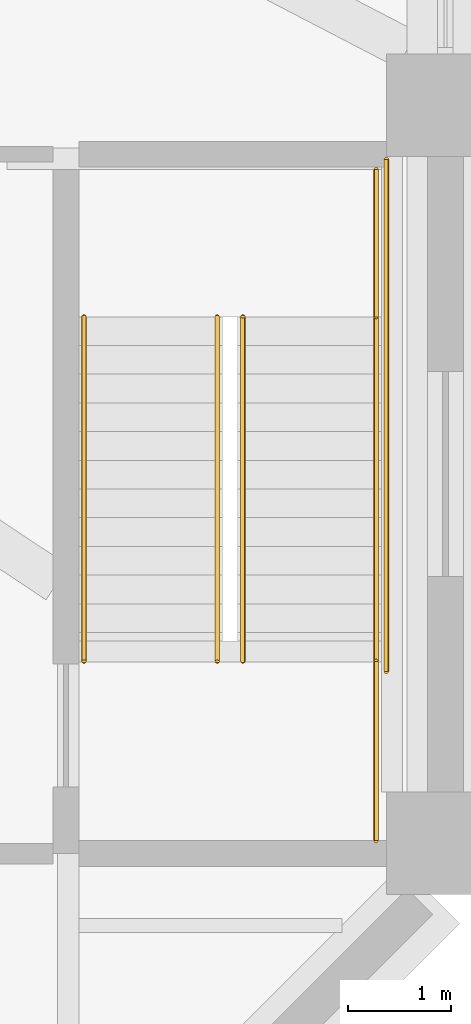
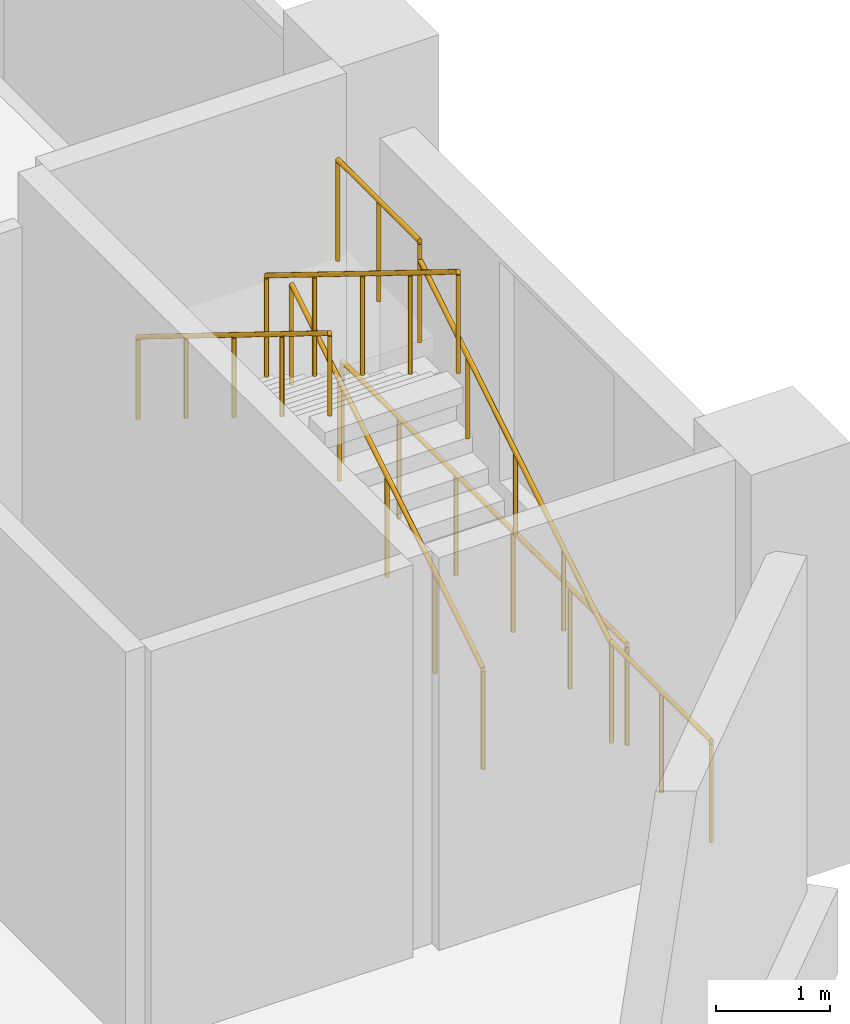
# One storey, part 27 of 29: 7 railings.
"""IFC4 building model written with IfcOpenShell, lengths in metres."""

from ifc_helpers import new_model, si_unit, direction, frame, origin, origin_2d, place, context, subcontext, project, spatial, circle, extrude, material, type_object, element, save


model = new_model("IFC4")

# Units and contexts
model_context = context("Model", 3, precision=1e-05, world=origin(), true_north=direction((0.0, 1.0)))
body_context = subcontext(model_context, "Body", "Model", "MODEL_VIEW")
ifc_project = project(units=[si_unit("LENGTHUNIT", "METRE"), si_unit("AREAUNIT", "SQUARE_METRE"), si_unit("VOLUMEUNIT", "CUBIC_METRE"), si_unit("PLANEANGLEUNIT", "RADIAN"), si_unit("MASSUNIT", "GRAM", prefix="KILO")], contexts=[model_context])

# Site, building, storey
site_placement = place(None, origin())
site = spatial("IfcSite", under=ifc_project, at=site_placement, CompositionType="ELEMENT")
building_placement = place(site_placement, origin())
building = spatial("IfcBuilding", under=site, at=building_placement, Name="Isthmus Gate Tower", CompositionType="ELEMENT")
storey_placement = place(building_placement, frame((0.0, 0.0, 27.0)))
storey = spatial("IfcBuildingStorey", under=building, at=storey_placement, Name="L04", CompositionType="ELEMENT", Elevation=27.0)

# Railings
ifc_material_1 = material(Name="Painted steel balusters with timber handrail", Category="steel")
railing_type_1 = type_object("IfcRailingType", Name="Podium stair guard 1100", PredefinedType="GUARDRAIL", material=ifc_material_1)
railing_1_placement = place(storey_placement, frame((49.60009765625, -32.72509765625, 0.173095703125)))
element("IfcRailing", 1, at=railing_1_placement, inside=storey, type_object=railing_type_1, Name="L04 ST4 stair guard 1", PredefinedType="GUARDRAIL", context=body_context, shape_type="SweptSolid", body=[
    extrude(circle(Radius=0.02392578125, at=origin_2d()), frame((0.0, 0.0, 1.076171875), z_axis=(0.0, 0.850623216509, 0.525775754039), x_axis=(-1.0, 0.0, 0.0)), (0.0, 0.0, 1.0), 3.9501953125),
    extrude(circle(Radius=0.02099609375, at=origin_2d()), origin(), (0.0, 0.0, 1.0), 1.052001953125),
    extrude(circle(Radius=0.02099609375, at=origin_2d()), frame((0.0, 0.840087890625, 0.519287109375)), (0.0, 0.0, 1.0), 1.052001953125),
    extrude(circle(Radius=0.02099609375, at=origin_2d()), frame((0.0, 1.68017578125, 1.03857421875)), (0.0, 0.0, 1.0), 1.052001953125),
    extrude(circle(Radius=0.02099609375, at=origin_2d()), frame((0.0, 2.52001953125, 1.5576171875)), (0.0, 0.0, 1.0), 1.052001953125),
    extrude(circle(Radius=0.02099609375, at=origin_2d()), frame((0.0, 3.360107421875, 2.076904296875)), (0.0, 0.0, 1.0), 1.052001953125),
])
railing_2_placement = place(storey_placement, frame((50.89990234375, -29.364990234375, 2.25)))
element("IfcRailing", 2, at=railing_2_placement, inside=storey, type_object=railing_type_1, Name="L04 ST4 stair guard 2", PredefinedType="GUARDRAIL", context=body_context, shape_type="SweptSolid", body=[
    extrude(circle(Radius=0.02392578125, at=origin_2d()), frame((0.0, 0.0, 1.076171875), z_axis=(0.0, 1.0, 0.0), x_axis=(-1.0, 0.0, 0.0)), (0.0, 0.0, 1.0), 1.43603515625),
    extrude(circle(Radius=0.02099609375, at=origin_2d()), origin(), (0.0, 0.0, 1.0), 1.052001953125),
    extrude(circle(Radius=0.02099609375, at=origin_2d()), frame((0.0, 0.718017578125, 0.0)), (0.0, 0.0, 1.0), 1.052001953125),
    extrude(circle(Radius=0.02099609375, at=origin_2d()), frame((0.0, 1.43603515625, 0.0)), (0.0, 0.0, 1.0), 1.052001953125),
])
railing_3_placement = place(storey_placement, frame((49.35009765625, -29.364990234375, 2.423095703125)))
element("IfcRailing", 3, at=railing_3_placement, inside=storey, type_object=railing_type_1, Name="L04 ST4 stair guard 3", PredefinedType="GUARDRAIL", context=body_context, shape_type="SweptSolid", body=[
    extrude(circle(Radius=0.02392578125, at=origin_2d()), frame((0.0, 0.0, 1.076171875), z_axis=(0.0, -0.850623216509, 0.525775754039), x_axis=(1.0, 0.0, 0.0)), (0.0, 0.0, 1.0), 3.9501953125),
    extrude(circle(Radius=0.02099609375, at=origin_2d()), origin(), (0.0, 0.0, 1.0), 1.052001953125),
    extrude(circle(Radius=0.02099609375, at=origin_2d()), frame((0.0, -0.840087890625, 0.519287109375)), (0.0, 0.0, 1.0), 1.052001953125),
    extrude(circle(Radius=0.02099609375, at=origin_2d()), frame((0.0, -1.68017578125, 1.03857421875)), (0.0, 0.0, 1.0), 1.052001953125),
    extrude(circle(Radius=0.02099609375, at=origin_2d()), frame((0.0, -2.52001953125, 1.5576171875)), (0.0, 0.0, 1.0), 1.052001953125),
    extrude(circle(Radius=0.02099609375, at=origin_2d()), frame((0.0, -3.360107421875, 2.076904296875)), (0.0, 0.0, 1.0), 1.052001953125),
])
railing_4_placement = place(storey_placement, frame((50.89990234375, -34.47509765625, 0.0)))
element("IfcRailing", 4, at=railing_4_placement, inside=storey, type_object=railing_type_1, Name="L04 ST4 stair guard 4", PredefinedType="GUARDRAIL", context=body_context, shape_type="SweptSolid", body=[
    extrude(circle(Radius=0.02392578125, at=origin_2d()), frame((0.0, 0.0, 1.076171875), z_axis=(0.0, 1.0, 0.0), x_axis=(-1.0, 0.0, 0.0)), (0.0, 0.0, 1.0), 1.75),
    extrude(circle(Radius=0.02099609375, at=origin_2d()), origin(), (0.0, 0.0, 1.0), 1.052001953125),
    extrude(circle(Radius=0.02099609375, at=origin_2d()), frame((0.0, 0.875, 0.0)), (0.0, 0.0, 1.0), 1.052001953125),
    extrude(circle(Radius=0.02099609375, at=origin_2d()), frame((0.0, 1.75, 0.0)), (0.0, 0.0, 1.0), 1.052001953125),
])
railing_5_placement = place(storey_placement, frame((51.0, -32.824951171875, 0.0)))
element("IfcRailing", 5, at=railing_5_placement, inside=storey, type_object=railing_type_1, Name="L04 ST4 stair guard 5", PredefinedType="GUARDRAIL", context=body_context, shape_type="SweptSolid", body=[
    extrude(circle(Radius=0.02392578125, at=origin_2d()), frame((0.0, 0.0, 1.076171875), z_axis=(0.0, 1.0, 0.0), x_axis=(-1.0, 0.0, 0.0)), (0.0, 0.0, 1.0), 4.995849609375),
    extrude(circle(Radius=0.02099609375, at=origin_2d()), origin(), (0.0, 0.0, 1.0), 1.052001953125),
    extrude(circle(Radius=0.02099609375, at=origin_2d()), frame((0.0, 0.999267578125, 0.0)), (0.0, 0.0, 1.0), 1.052001953125),
    extrude(circle(Radius=0.02099609375, at=origin_2d()), frame((0.0, 1.998291015625, 0.0)), (0.0, 0.0, 1.0), 1.052001953125),
    extrude(circle(Radius=0.02099609375, at=origin_2d()), frame((0.0, 2.99755859375, 0.0)), (0.0, 0.0, 1.0), 1.052001953125),
    extrude(circle(Radius=0.02099609375, at=origin_2d()), frame((0.0, 3.99658203125, 0.0)), (0.0, 0.0, 1.0), 1.052001953125),
    extrude(circle(Radius=0.02099609375, at=origin_2d()), frame((0.0, 4.995849609375, 0.0)), (0.0, 0.0, 1.0), 1.052001953125),
])
ifc_material_2 = material(Name="Stainless steel tube", Category="steel")
railing_type_2 = type_object("IfcRailingType", Name="Podium stair handrail 900", PredefinedType="HANDRAIL", material=ifc_material_2)
railing_6_placement = place(storey_placement, frame((50.89990234375, -32.72509765625, 0.173095703125)))
element("IfcRailing", 6, at=railing_6_placement, inside=storey, type_object=railing_type_2, Name="L04 ST4 stair handrail 1", PredefinedType="HANDRAIL", context=body_context, shape_type="SweptSolid", body=[
    extrude(circle(Radius=0.02392578125, at=origin_2d()), frame((0.0, 0.0, 0.8759765625), z_axis=(0.0, 0.850623216509, 0.525775754039), x_axis=(-1.0, 0.0, 0.0)), (0.0, 0.0, 1.0), 3.9501953125),
    extrude(circle(Radius=0.02099609375, at=origin_2d()), origin(), (0.0, 0.0, 1.0), 0.851806640625),
    extrude(circle(Radius=0.02099609375, at=origin_2d()), frame((0.0, 0.840087890625, 0.519287109375)), (0.0, 0.0, 1.0), 0.851806640625),
    extrude(circle(Radius=0.02099609375, at=origin_2d()), frame((0.0, 1.68017578125, 1.03857421875)), (0.0, 0.0, 1.0), 0.851806640625),
    extrude(circle(Radius=0.02099609375, at=origin_2d()), frame((0.0, 2.52001953125, 1.5576171875)), (0.0, 0.0, 1.0), 0.851806640625),
    extrude(circle(Radius=0.02099609375, at=origin_2d()), frame((0.0, 3.360107421875, 2.076904296875)), (0.0, 0.0, 1.0), 0.851806640625),
])
railing_7_placement = place(storey_placement, frame((48.050048828125, -29.364990234375, 2.423095703125)))
element("IfcRailing", 7, at=railing_7_placement, inside=storey, type_object=railing_type_2, Name="L04 ST4 stair handrail 2", PredefinedType="HANDRAIL", context=body_context, shape_type="SweptSolid", body=[
    extrude(circle(Radius=0.02392578125, at=origin_2d()), frame((0.0, 0.0, 0.8759765625), z_axis=(0.0, -0.850623216509, 0.525775754039), x_axis=(1.0, 0.0, 0.0)), (0.0, 0.0, 1.0), 3.9501953125),
    extrude(circle(Radius=0.02099609375, at=origin_2d()), origin(), (0.0, 0.0, 1.0), 0.851806640625),
    extrude(circle(Radius=0.02099609375, at=origin_2d()), frame((0.0, -0.840087890625, 0.519287109375)), (0.0, 0.0, 1.0), 0.851806640625),
    extrude(circle(Radius=0.02099609375, at=origin_2d()), frame((0.0, -1.68017578125, 1.03857421875)), (0.0, 0.0, 1.0), 0.851806640625),
    extrude(circle(Radius=0.02099609375, at=origin_2d()), frame((0.0, -2.52001953125, 1.5576171875)), (0.0, 0.0, 1.0), 0.851806640625),
    extrude(circle(Radius=0.02099609375, at=origin_2d()), frame((0.0, -3.360107421875, 2.076904296875)), (0.0, 0.0, 1.0), 0.851806640625),
])

save(model, "model.ifc")
